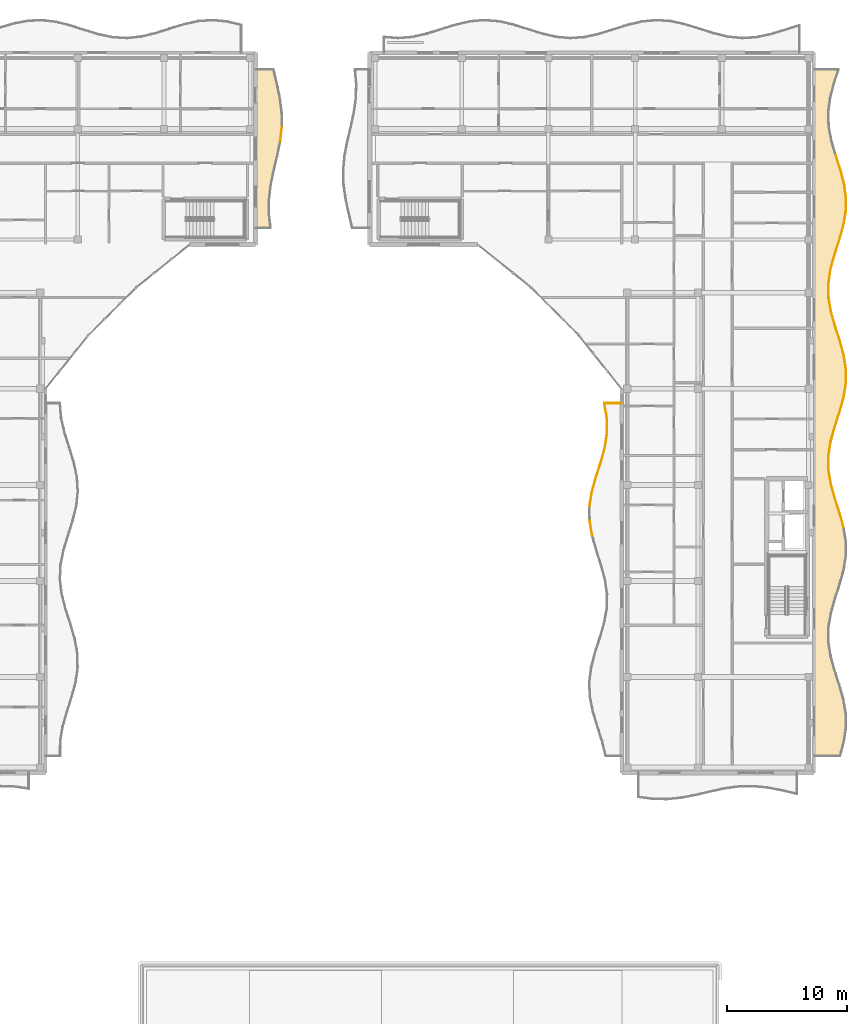
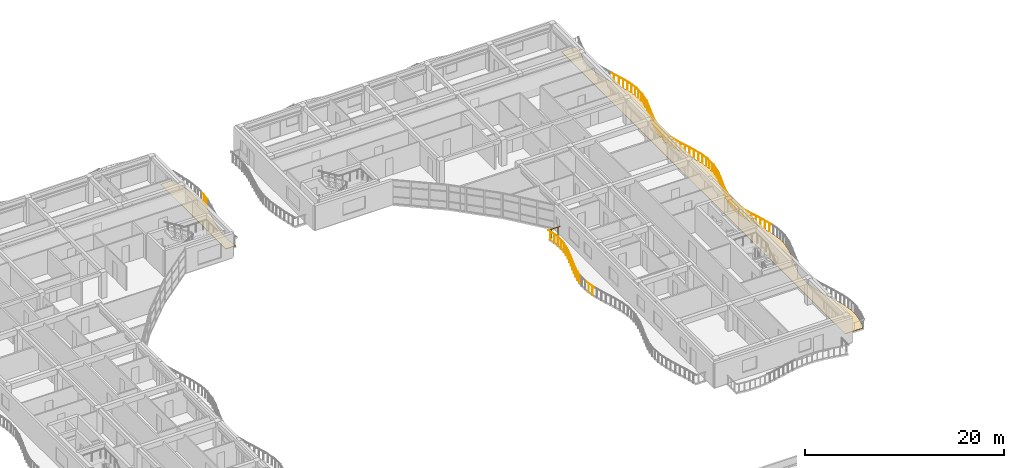
# One storey, part 77 of 79: 36 railings, 2 coverings.
"""IFC4 building model written with IfcOpenShell, lengths in metres."""

from ifc_helpers import new_model, si_unit, direction, frame, origin, origin_2d, place, context, subcontext, project, spatial, polyline, circle, outline, extrude, material, layer, layer_set, type_object, element, save


model = new_model("IFC4")

# Units and contexts
model_context = context("Model", 3, precision=1e-05, world=origin(), true_north=direction((0.0, 1.0)))
body_context = subcontext(model_context, "Body", "Model", "MODEL_VIEW")
ifc_project = project(units=[si_unit("LENGTHUNIT", "METRE"), si_unit("AREAUNIT", "SQUARE_METRE"), si_unit("VOLUMEUNIT", "CUBIC_METRE"), si_unit("PLANEANGLEUNIT", "RADIAN"), si_unit("MASSUNIT", "GRAM", prefix="KILO")], contexts=[model_context])

# Site, building, storey
site_placement = place(None, origin())
site = spatial("IfcSite", under=ifc_project, at=site_placement, CompositionType="ELEMENT")
building_placement = place(site_placement, origin())
building = spatial("IfcBuilding", under=site, at=building_placement, Name="Keldmere Railside Commons", CompositionType="ELEMENT")
storey_placement = place(building_placement, frame((0.0, 0.0, 10.56005859375)))
storey = spatial("IfcBuildingStorey", under=building, at=storey_placement, Name="L03", CompositionType="ELEMENT", Elevation=10.56005859375)

# Railings
ifc_material_1 = material(Name="Steel F-24 (S235)", Category="steel")
railing_type = type_object("IfcRailingType", Name="Balcony & Terrace Steel Balustrade 1100", PredefinedType="BALUSTRADE", material=ifc_material_1)
railing_1_placement = place(storey_placement, frame((139.5478515625, 108.60009765625, 0.0)))
element("IfcRailing", 1, at=railing_1_placement, inside=storey, type_object=railing_type, Name="GR-1 GRD-L03-2205", PredefinedType="BALUSTRADE", context=body_context, shape_type="SweptSolid", body=[
    extrude(circle(Radius=0.02392578125, at=origin_2d()), frame((0.0, 0.0, 1.076171875), z_axis=(0.113004940819, 0.993594425986, 0.0), x_axis=(-0.993594425986, 0.113004940819, 0.0)), (0.0, 0.0, 1.0), 1.207763671875),
    extrude(circle(Radius=0.02099609375, at=origin_2d()), frame((0.0341796875, 0.300048828125, 0.0)), (0.0, 0.0, 1.0), 1.048095703125),
    extrude(circle(Radius=0.02099609375, at=origin_2d()), frame((0.102294921875, 0.89990234375, 0.0)), (0.0, 0.0, 1.0), 1.048095703125),
])
railing_2_placement = place(storey_placement, frame((165.5380859375, 75.77490234375, 0.0)))
element("IfcRailing", 2, at=railing_2_placement, inside=storey, type_object=railing_type, Name="GR-1 GRD-L03-3469", PredefinedType="BALUSTRADE", context=body_context, shape_type="SweptSolid", body=[
    extrude(circle(Radius=0.02392578125, at=origin_2d()), frame((0.0, 0.0, 1.076171875), z_axis=(-0.167202106062, 0.985922641858, 0.0), x_axis=(-0.985922641858, -0.167202106062, 0.0)), (0.0, 0.0, 1.0), 1.24267578125),
    extrude(circle(Radius=0.02099609375, at=origin_2d()), frame((-0.052001953125, 0.30615234375, 0.0)), (0.0, 0.0, 1.0), 1.048095703125),
    extrude(circle(Radius=0.02099609375, at=origin_2d()), frame((-0.15576171875, 0.9189453125, 0.0)), (0.0, 0.0, 1.0), 1.048095703125),
])
railing_3_placement = place(storey_placement, frame((165.3232421875, 78.22509765625, 0.0)))
element("IfcRailing", 3, at=railing_3_placement, inside=storey, type_object=railing_type, Name="GR-1 GRD-L03-3471", PredefinedType="BALUSTRADE", context=body_context, shape_type="SweptSolid", body=[
    extrude(circle(Radius=0.02392578125, at=origin_2d()), frame((0.0, 0.0, 1.076171875), z_axis=(0.157660396073, 0.987493392135, 0.0), x_axis=(-0.987493392135, 0.157660396073, 0.0)), (0.0, 0.0, 1.0), 1.240478515625),
    extrude(circle(Radius=0.02099609375, at=origin_2d()), frame((0.048828125, 0.30615234375, 0.0)), (0.0, 0.0, 1.0), 1.048095703125),
    extrude(circle(Radius=0.02099609375, at=origin_2d()), frame((0.146728515625, 0.918701171875, 0.0)), (0.0, 0.0, 1.0), 1.048095703125),
])
railing_4_placement = place(storey_placement, frame((165.518798828125, 79.449951171875, 0.0)))
element("IfcRailing", 4, at=railing_4_placement, inside=storey, type_object=railing_type, Name="GR-1 GRD-L03-3472", PredefinedType="BALUSTRADE", context=body_context, shape_type="SweptSolid", body=[
    extrude(circle(Radius=0.02392578125, at=origin_2d()), frame((0.0, 0.0, 1.076171875), z_axis=(0.270334393291, 0.962766490798, 0.0), x_axis=(-0.962766490798, 0.270334393291, 0.0)), (0.0, 0.0, 1.0), 1.2724609375),
    extrude(circle(Radius=0.02099609375, at=origin_2d()), frame((0.0859375, 0.30615234375, 0.0)), (0.0, 0.0, 1.0), 1.048095703125),
    extrude(circle(Radius=0.02099609375, at=origin_2d()), frame((0.258056640625, 0.9189453125, 0.0)), (0.0, 0.0, 1.0), 1.048095703125),
])
railing_5_placement = place(storey_placement, frame((165.86279296875, 80.675048828125, 0.0)))
element("IfcRailing", 5, at=railing_5_placement, inside=storey, type_object=railing_type, Name="GR-1 GRD-L03-3473", PredefinedType="BALUSTRADE", context=body_context, shape_type="SweptSolid", body=[
    extrude(circle(Radius=0.02392578125, at=origin_2d()), frame((0.0, 0.0, 1.076171875), z_axis=(0.307623344655, 0.951508212168, 0.0), x_axis=(-0.951508212168, 0.307623344655, 0.0)), (0.0, 0.0, 1.0), 1.287353515625),
    extrude(circle(Radius=0.02099609375, at=origin_2d()), frame((0.09912109375, 0.30615234375, 0.0)), (0.0, 0.0, 1.0), 1.048095703125),
    extrude(circle(Radius=0.02099609375, at=origin_2d()), frame((0.296875, 0.918701171875, 0.0)), (0.0, 0.0, 1.0), 1.048095703125),
])
railing_6_placement = place(storey_placement, frame((166.2587890625, 81.89990234375, 0.0)))
element("IfcRailing", 6, at=railing_6_placement, inside=storey, type_object=railing_type, Name="GR-1 GRD-L03-3474", PredefinedType="BALUSTRADE", context=body_context, shape_type="SweptSolid", body=[
    extrude(circle(Radius=0.02392578125, at=origin_2d()), frame((0.0, 0.0, 1.076171875), z_axis=(0.265879749781, 0.964006202603, 0.0), x_axis=(-0.964006202603, 0.265879749781, 0.0)), (0.0, 0.0, 1.0), 1.270751953125),
    extrude(circle(Radius=0.02099609375, at=origin_2d()), frame((0.08447265625, 0.30615234375, 0.0)), (0.0, 0.0, 1.0), 1.048095703125),
    extrude(circle(Radius=0.02099609375, at=origin_2d()), frame((0.25341796875, 0.9189453125, 0.0)), (0.0, 0.0, 1.0), 1.048095703125),
])
railing_7_placement = place(storey_placement, frame((166.5966796875, 83.125, 0.0)))
element("IfcRailing", 7, at=railing_7_placement, inside=storey, type_object=railing_type, Name="GR-1 GRD-L03-3475", PredefinedType="BALUSTRADE", context=body_context, shape_type="SweptSolid", body=[
    extrude(circle(Radius=0.02392578125, at=origin_2d()), frame((0.0, 0.0, 1.076171875), z_axis=(0.149554385663, 0.988753500995, 0.0), x_axis=(-0.988753500995, 0.149554385663, 0.0)), (0.0, 0.0, 1.0), 1.239013671875),
    extrude(circle(Radius=0.02099609375, at=origin_2d()), frame((0.04638671875, 0.30615234375, 0.0)), (0.0, 0.0, 1.0), 1.048095703125),
    extrude(circle(Radius=0.02099609375, at=origin_2d()), frame((0.138916015625, 0.9189453125, 0.0)), (0.0, 0.0, 1.0), 1.048095703125),
])
railing_8_placement = place(storey_placement, frame((166.781982421875, 84.35009765625, 0.0)))
element("IfcRailing", 8, at=railing_8_placement, inside=storey, type_object=railing_type, Name="GR-1 GRD-L03-3476", PredefinedType="BALUSTRADE", context=body_context, shape_type="SweptSolid", body=[
    extrude(circle(Radius=0.02392578125, at=origin_2d()), frame((0.0, 0.0, 1.076171875), z_axis=(-0.015346010109, 0.999882243054, 0.0), x_axis=(-0.999882243054, -0.015346010109, 0.0)), (0.0, 0.0, 1.0), 1.22509765625),
    extrude(circle(Radius=0.02099609375, at=origin_2d()), frame((-0.004638671875, 0.30615234375, 0.0)), (0.0, 0.0, 1.0), 1.048095703125),
    extrude(circle(Radius=0.02099609375, at=origin_2d()), frame((-0.01416015625, 0.918701171875, 0.0)), (0.0, 0.0, 1.0), 1.048095703125),
])
railing_9_placement = place(storey_placement, frame((166.76318359375, 85.574951171875, 0.0)))
element("IfcRailing", 9, at=railing_9_placement, inside=storey, type_object=railing_type, Name="GR-1 GRD-L03-3477", PredefinedType="BALUSTRADE", context=body_context, shape_type="SweptSolid", body=[
    extrude(circle(Radius=0.02392578125, at=origin_2d()), frame((0.0, 0.0, 1.076171875), z_axis=(-0.175016428413, 0.984565513201, 0.0), x_axis=(-0.984565513201, -0.175016428413, 0.0)), (0.0, 0.0, 1.0), 1.244384765625),
    extrude(circle(Radius=0.02099609375, at=origin_2d()), frame((-0.054443359375, 0.30615234375, 0.0)), (0.0, 0.0, 1.0), 1.048095703125),
    extrude(circle(Radius=0.02099609375, at=origin_2d()), frame((-0.163330078125, 0.9189453125, 0.0)), (0.0, 0.0, 1.0), 1.048095703125),
])
railing_10_placement = place(storey_placement, frame((166.54541015625, 86.800048828125, 0.0)))
element("IfcRailing", 10, at=railing_10_placement, inside=storey, type_object=railing_type, Name="GR-1 GRD-L03-3478", PredefinedType="BALUSTRADE", context=body_context, shape_type="SweptSolid", body=[
    extrude(circle(Radius=0.02392578125, at=origin_2d()), frame((0.0, 0.0, 1.076171875), z_axis=(1.0, 0.0, 0.0), x_axis=(0.0, 1.0, 0.0)), (0.0, 0.0, 1.0), 1.45458984375),
    extrude(circle(Radius=0.02099609375, at=origin_2d()), frame((0.36376953125, 0.0, 0.0)), (0.0, 0.0, 1.0), 1.048095703125),
    extrude(circle(Radius=0.02099609375, at=origin_2d()), frame((1.0908203125, 0.0, 0.0)), (0.0, 0.0, 1.0), 1.048095703125),
])
railing_11_placement = place(storey_placement, frame((186.48193359375, 76.466796875, 0.0)))
element("IfcRailing", 11, at=railing_11_placement, inside=storey, type_object=railing_type, Name="GR-1 GRD-L03-3496", PredefinedType="BALUSTRADE", context=body_context, shape_type="SweptSolid", body=[
    extrude(circle(Radius=0.02392578125, at=origin_2d()), frame((0.0, 0.0, 1.076171875), z_axis=(-0.269190682623, 0.963086899708, 0.0), x_axis=(-0.963086899708, -0.269190682623, 0.0)), (0.0, 0.0, 1.0), 1.237060546875),
    extrude(circle(Radius=0.02099609375, at=origin_2d()), frame((-0.083251953125, 0.2978515625, 0.0)), (0.0, 0.0, 1.0), 1.048095703125),
    extrude(circle(Radius=0.02099609375, at=origin_2d()), frame((-0.249755859375, 0.8935546875, 0.0)), (0.0, 0.0, 1.0), 1.048095703125),
])
railing_12_placement = place(storey_placement, frame((186.14892578125, 77.658203125, 0.0)))
element("IfcRailing", 12, at=railing_12_placement, inside=storey, type_object=railing_type, Name="GR-1 GRD-L03-3497", PredefinedType="BALUSTRADE", context=body_context, shape_type="SweptSolid", body=[
    extrude(circle(Radius=0.02392578125, at=origin_2d()), frame((0.0, 0.0, 1.076171875), z_axis=(-0.307737259803, 0.95147137578, 0.0), x_axis=(-0.95147137578, -0.307737259803, 0.0)), (0.0, 0.0, 1.0), 1.252685546875),
    extrude(circle(Radius=0.02099609375, at=origin_2d()), frame((-0.096435546875, 0.2978515625, 0.0)), (0.0, 0.0, 1.0), 1.048095703125),
    extrude(circle(Radius=0.02099609375, at=origin_2d()), frame((-0.2890625, 0.89404296875, 0.0)), (0.0, 0.0, 1.0), 1.048095703125),
])
railing_13_placement = place(storey_placement, frame((185.763427734375, 78.85009765625, 0.0)))
element("IfcRailing", 13, at=railing_13_placement, inside=storey, type_object=railing_type, Name="GR-1 GRD-L03-3498", PredefinedType="BALUSTRADE", context=body_context, shape_type="SweptSolid", body=[
    extrude(circle(Radius=0.02392578125, at=origin_2d()), frame((0.0, 0.0, 1.076171875), z_axis=(-0.271516364359, 0.96243382312, 0.0), x_axis=(-0.96243382312, -0.271516364359, 0.0)), (0.0, 0.0, 1.0), 1.23828125),
    extrude(circle(Radius=0.02099609375, at=origin_2d()), frame((-0.083984375, 0.2978515625, 0.0)), (0.0, 0.0, 1.0), 1.048095703125),
    extrude(circle(Radius=0.02099609375, at=origin_2d()), frame((-0.252197265625, 0.893798828125, 0.0)), (0.0, 0.0, 1.0), 1.048095703125),
])
railing_14_placement = place(storey_placement, frame((185.42724609375, 80.041748046875, 0.0)))
element("IfcRailing", 14, at=railing_14_placement, inside=storey, type_object=railing_type, Name="GR-1 GRD-L03-3499", PredefinedType="BALUSTRADE", context=body_context, shape_type="SweptSolid", body=[
    extrude(circle(Radius=0.02392578125, at=origin_2d()), frame((0.0, 0.0, 1.076171875), z_axis=(-0.16410402531, 0.986443038841, 0.0), x_axis=(-0.986443038841, -0.16410402531, 0.0)), (0.0, 0.0, 1.0), 1.2080078125),
    extrude(circle(Radius=0.02099609375, at=origin_2d()), frame((-0.049560546875, 0.2978515625, 0.0)), (0.0, 0.0, 1.0), 1.048095703125),
    extrude(circle(Radius=0.02099609375, at=origin_2d()), frame((-0.148681640625, 0.893798828125, 0.0)), (0.0, 0.0, 1.0), 1.048095703125),
])
railing_15_placement = place(storey_placement, frame((185.22900390625, 81.2333984375, 0.0)))
element("IfcRailing", 15, at=railing_15_placement, inside=storey, type_object=railing_type, Name="GR-1 GRD-L03-3500", PredefinedType="BALUSTRADE", context=body_context, shape_type="SweptSolid", body=[
    extrude(circle(Radius=0.02392578125, at=origin_2d()), frame((0.0, 0.0, 1.076171875), z_axis=(-0.00614616541, 0.999981112147, 0.0), x_axis=(-0.999981112147, -0.00614616541, 0.0)), (0.0, 0.0, 1.0), 1.191650390625),
    extrude(circle(Radius=0.02099609375, at=origin_2d()), frame((-0.001953125, 0.2978515625, 0.0)), (0.0, 0.0, 1.0), 1.048095703125),
    extrude(circle(Radius=0.02099609375, at=origin_2d()), frame((-0.00537109375, 0.893798828125, 0.0)), (0.0, 0.0, 1.0), 1.048095703125),
])
railing_16_placement = place(storey_placement, frame((185.2216796875, 82.425048828125, 0.0)))
element("IfcRailing", 16, at=railing_16_placement, inside=storey, type_object=railing_type, Name="GR-1 GRD-L03-3501", PredefinedType="BALUSTRADE", context=body_context, shape_type="SweptSolid", body=[
    extrude(circle(Radius=0.02392578125, at=origin_2d()), frame((0.0, 0.0, 1.076171875), z_axis=(0.153258932877, 0.988186065219, 0.0), x_axis=(-0.988186065219, 0.153258932877, 0.0)), (0.0, 0.0, 1.0), 1.205810546875),
    extrude(circle(Radius=0.02099609375, at=origin_2d()), frame((0.046142578125, 0.2978515625, 0.0)), (0.0, 0.0, 1.0), 1.048095703125),
    extrude(circle(Radius=0.02099609375, at=origin_2d()), frame((0.138671875, 0.893798828125, 0.0)), (0.0, 0.0, 1.0), 1.048095703125),
])
railing_17_placement = place(storey_placement, frame((185.406494140625, 83.61669921875, 0.0)))
element("IfcRailing", 17, at=railing_17_placement, inside=storey, type_object=railing_type, Name="GR-1 GRD-L03-3502", PredefinedType="BALUSTRADE", context=body_context, shape_type="SweptSolid", body=[
    extrude(circle(Radius=0.02392578125, at=origin_2d()), frame((0.0, 0.0, 1.076171875), z_axis=(0.265840392995, 0.964017056619, 0.0), x_axis=(-0.964017056619, 0.265840392995, 0.0)), (0.0, 0.0, 1.0), 1.236083984375),
    extrude(circle(Radius=0.02099609375, at=origin_2d()), frame((0.08203125, 0.2978515625, 0.0)), (0.0, 0.0, 1.0), 1.048095703125),
    extrude(circle(Radius=0.02099609375, at=origin_2d()), frame((0.24658203125, 0.893798828125, 0.0)), (0.0, 0.0, 1.0), 1.048095703125),
])
railing_18_placement = place(storey_placement, frame((185.735107421875, 84.808349609375, 0.0)))
element("IfcRailing", 18, at=railing_18_placement, inside=storey, type_object=railing_type, Name="GR-1 GRD-L03-3503", PredefinedType="BALUSTRADE", context=body_context, shape_type="SweptSolid", body=[
    extrude(circle(Radius=0.02392578125, at=origin_2d()), frame((0.0, 0.0, 1.076171875), z_axis=(0.307794335351, 0.951452913772, 0.0), x_axis=(-0.951452913772, 0.307794335351, 0.0)), (0.0, 0.0, 1.0), 1.25244140625),
    extrude(circle(Radius=0.02099609375, at=origin_2d()), frame((0.096435546875, 0.2978515625, 0.0)), (0.0, 0.0, 1.0), 1.048095703125),
    extrude(circle(Radius=0.02099609375, at=origin_2d()), frame((0.2890625, 0.893798828125, 0.0)), (0.0, 0.0, 1.0), 1.048095703125),
])
railing_19_placement = place(storey_placement, frame((186.12060546875, 86.0, 0.0)))
element("IfcRailing", 19, at=railing_19_placement, inside=storey, type_object=railing_type, Name="GR-1 GRD-L03-3504", PredefinedType="BALUSTRADE", context=body_context, shape_type="SweptSolid", body=[
    extrude(circle(Radius=0.02392578125, at=origin_2d()), frame((0.0, 0.0, 1.076171875), z_axis=(0.274617051176, 0.961553677755, 0.0), x_axis=(-0.961553677755, 0.274617051176, 0.0)), (0.0, 0.0, 1.0), 1.2392578125),
    extrude(circle(Radius=0.02099609375, at=origin_2d()), frame((0.0849609375, 0.2978515625, 0.0)), (0.0, 0.0, 1.0), 1.048095703125),
    extrude(circle(Radius=0.02099609375, at=origin_2d()), frame((0.25537109375, 0.893798828125, 0.0)), (0.0, 0.0, 1.0), 1.048095703125),
])
railing_20_placement = place(storey_placement, frame((186.4609375, 87.191650390625, 0.0)))
element("IfcRailing", 20, at=railing_20_placement, inside=storey, type_object=railing_type, Name="GR-1 GRD-L03-3505", PredefinedType="BALUSTRADE", context=body_context, shape_type="SweptSolid", body=[
    extrude(circle(Radius=0.02392578125, at=origin_2d()), frame((0.0, 0.0, 1.076171875), z_axis=(0.169798737583, 0.985478761169, 0.0), x_axis=(-0.985478761169, 0.169798737583, 0.0)), (0.0, 0.0, 1.0), 1.209228515625),
    extrude(circle(Radius=0.02099609375, at=origin_2d()), frame((0.05126953125, 0.2978515625, 0.0)), (0.0, 0.0, 1.0), 1.048095703125),
    extrude(circle(Radius=0.02099609375, at=origin_2d()), frame((0.154052734375, 0.893798828125, 0.0)), (0.0, 0.0, 1.0), 1.048095703125),
])
railing_21_placement = place(storey_placement, frame((186.666259765625, 88.38330078125, 0.0)))
element("IfcRailing", 21, at=railing_21_placement, inside=storey, type_object=railing_type, Name="GR-1 GRD-L03-3506", PredefinedType="BALUSTRADE", context=body_context, shape_type="SweptSolid", body=[
    extrude(circle(Radius=0.02392578125, at=origin_2d()), frame((0.0, 0.0, 1.076171875), z_axis=(0.013315762587, 0.999911341303, 0.0), x_axis=(-0.999911341303, 0.013315762587, 0.0)), (0.0, 0.0, 1.0), 1.191650390625),
    extrude(circle(Radius=0.02099609375, at=origin_2d()), frame((0.00390625, 0.2978515625, 0.0)), (0.0, 0.0, 1.0), 1.048095703125),
    extrude(circle(Radius=0.02099609375, at=origin_2d()), frame((0.011962890625, 0.893798828125, 0.0)), (0.0, 0.0, 1.0), 1.048095703125),
])
railing_22_placement = place(storey_placement, frame((186.68212890625, 89.574951171875, 0.0)))
element("IfcRailing", 22, at=railing_22_placement, inside=storey, type_object=railing_type, Name="GR-1 GRD-L03-3507", PredefinedType="BALUSTRADE", context=body_context, shape_type="SweptSolid", body=[
    extrude(circle(Radius=0.02392578125, at=origin_2d()), frame((0.0, 0.0, 1.076171875), z_axis=(-0.147319738964, 0.989088921438, 0.0), x_axis=(-0.989088921438, -0.147319738964, 0.0)), (0.0, 0.0, 1.0), 1.204833984375),
    extrude(circle(Radius=0.02099609375, at=origin_2d()), frame((-0.04443359375, 0.2978515625, 0.0)), (0.0, 0.0, 1.0), 1.048095703125),
    extrude(circle(Radius=0.02099609375, at=origin_2d()), frame((-0.133056640625, 0.893798828125, 0.0)), (0.0, 0.0, 1.0), 1.048095703125),
])
railing_23_placement = place(storey_placement, frame((186.504638671875, 90.7666015625, 0.0)))
element("IfcRailing", 23, at=railing_23_placement, inside=storey, type_object=railing_type, Name="GR-1 GRD-L03-3508", PredefinedType="BALUSTRADE", context=body_context, shape_type="SweptSolid", body=[
    extrude(circle(Radius=0.02392578125, at=origin_2d()), frame((0.0, 0.0, 1.076171875), z_axis=(-0.26253189176, 0.964923316025, 0.0), x_axis=(-0.964923316025, -0.26253189176, 0.0)), (0.0, 0.0, 1.0), 1.23486328125),
    extrude(circle(Radius=0.02099609375, at=origin_2d()), frame((-0.0810546875, 0.2978515625, 0.0)), (0.0, 0.0, 1.0), 1.048095703125),
    extrude(circle(Radius=0.02099609375, at=origin_2d()), frame((-0.2431640625, 0.893798828125, 0.0)), (0.0, 0.0, 1.0), 1.048095703125),
])
railing_24_placement = place(storey_placement, frame((186.180419921875, 91.958251953125, 0.0)))
element("IfcRailing", 24, at=railing_24_placement, inside=storey, type_object=railing_type, Name="GR-1 GRD-L03-3509", PredefinedType="BALUSTRADE", context=body_context, shape_type="SweptSolid", body=[
    extrude(circle(Radius=0.02392578125, at=origin_2d()), frame((0.0, 0.0, 1.076171875), z_axis=(-0.307441346299, 0.951567033154, 0.0), x_axis=(-0.951567033154, -0.307441346299, 0.0)), (0.0, 0.0, 1.0), 1.252197265625),
    extrude(circle(Radius=0.02099609375, at=origin_2d()), frame((-0.09619140625, 0.2978515625, 0.0)), (0.0, 0.0, 1.0), 1.048095703125),
    extrude(circle(Radius=0.02099609375, at=origin_2d()), frame((-0.288818359375, 0.893798828125, 0.0)), (0.0, 0.0, 1.0), 1.048095703125),
])
railing_25_placement = place(storey_placement, frame((185.79541015625, 93.14990234375, 0.0)))
element("IfcRailing", 25, at=railing_25_placement, inside=storey, type_object=railing_type, Name="GR-1 GRD-L03-3510", PredefinedType="BALUSTRADE", context=body_context, shape_type="SweptSolid", body=[
    extrude(circle(Radius=0.02392578125, at=origin_2d()), frame((0.0, 0.0, 1.076171875), z_axis=(-0.277475071793, 0.960732837231, 0.0), x_axis=(-0.960732837231, -0.277475071793, 0.0)), (0.0, 0.0, 1.0), 1.24072265625),
    extrude(circle(Radius=0.02099609375, at=origin_2d()), frame((-0.0859375, 0.2978515625, 0.0)), (0.0, 0.0, 1.0), 1.048095703125),
    extrude(circle(Radius=0.02099609375, at=origin_2d()), frame((-0.25830078125, 0.89404296875, 0.0)), (0.0, 0.0, 1.0), 1.048095703125),
])
railing_26_placement = place(storey_placement, frame((185.451171875, 94.341796875, 0.0)))
element("IfcRailing", 26, at=railing_26_placement, inside=storey, type_object=railing_type, Name="GR-1 GRD-L03-3511", PredefinedType="BALUSTRADE", context=body_context, shape_type="SweptSolid", body=[
    extrude(circle(Radius=0.02392578125, at=origin_2d()), frame((0.0, 0.0, 1.076171875), z_axis=(-0.175511341378, 0.98447740911, 0.0), x_axis=(-0.98447740911, -0.175511341378, 0.0)), (0.0, 0.0, 1.0), 1.210205078125),
    extrude(circle(Radius=0.02099609375, at=origin_2d()), frame((-0.05322265625, 0.2978515625, 0.0)), (0.0, 0.0, 1.0), 1.048095703125),
    extrude(circle(Radius=0.02099609375, at=origin_2d()), frame((-0.1591796875, 0.8935546875, 0.0)), (0.0, 0.0, 1.0), 1.048095703125),
])
railing_27_placement = place(storey_placement, frame((185.23876953125, 95.533203125, 0.0)))
element("IfcRailing", 27, at=railing_27_placement, inside=storey, type_object=railing_type, Name="GR-1 GRD-L03-3512", PredefinedType="BALUSTRADE", context=body_context, shape_type="SweptSolid", body=[
    extrude(circle(Radius=0.02392578125, at=origin_2d()), frame((0.0, 0.0, 1.076171875), z_axis=(-0.020274406157, 0.999794453103, 0.0), x_axis=(-0.999794453103, -0.020274406157, 0.0)), (0.0, 0.0, 1.0), 1.192138671875),
    extrude(circle(Radius=0.02099609375, at=origin_2d()), frame((-0.006103515625, 0.2978515625, 0.0)), (0.0, 0.0, 1.0), 1.048095703125),
    extrude(circle(Radius=0.02099609375, at=origin_2d()), frame((-0.01806640625, 0.89404296875, 0.0)), (0.0, 0.0, 1.0), 1.048095703125),
])
railing_28_placement = place(storey_placement, frame((185.214599609375, 96.72509765625, 0.0)))
element("IfcRailing", 28, at=railing_28_placement, inside=storey, type_object=railing_type, Name="GR-1 GRD-L03-3513", PredefinedType="BALUSTRADE", context=body_context, shape_type="SweptSolid", body=[
    extrude(circle(Radius=0.02392578125, at=origin_2d()), frame((0.0, 0.0, 1.076171875), z_axis=(0.141165792762, 0.989985969069, 0.0), x_axis=(-0.989985969069, 0.141165792762, 0.0)), (0.0, 0.0, 1.0), 1.20361328125),
    extrude(circle(Radius=0.02099609375, at=origin_2d()), frame((0.04248046875, 0.2978515625, 0.0)), (0.0, 0.0, 1.0), 1.048095703125),
    extrude(circle(Radius=0.02099609375, at=origin_2d()), frame((0.12744140625, 0.893798828125, 0.0)), (0.0, 0.0, 1.0), 1.048095703125),
])
railing_29_placement = place(storey_placement, frame((185.384521484375, 97.916748046875, 0.0)))
element("IfcRailing", 29, at=railing_29_placement, inside=storey, type_object=railing_type, Name="GR-1 GRD-L03-3514", PredefinedType="BALUSTRADE", context=body_context, shape_type="SweptSolid", body=[
    extrude(circle(Radius=0.02392578125, at=origin_2d()), frame((0.0, 0.0, 1.076171875), z_axis=(0.259029513157, 0.965869406966, 0.0), x_axis=(-0.965869406966, 0.259029513157, 0.0)), (0.0, 0.0, 1.0), 1.233642578125),
    extrude(circle(Radius=0.02099609375, at=origin_2d()), frame((0.079833984375, 0.2978515625, 0.0)), (0.0, 0.0, 1.0), 1.048095703125),
    extrude(circle(Radius=0.02099609375, at=origin_2d()), frame((0.23974609375, 0.893798828125, 0.0)), (0.0, 0.0, 1.0), 1.048095703125),
])
railing_30_placement = place(storey_placement, frame((185.7041015625, 99.1083984375, 0.0)))
element("IfcRailing", 30, at=railing_30_placement, inside=storey, type_object=railing_type, Name="GR-1 GRD-L03-3515", PredefinedType="BALUSTRADE", context=body_context, shape_type="SweptSolid", body=[
    extrude(circle(Radius=0.02392578125, at=origin_2d()), frame((0.0, 0.0, 1.076171875), z_axis=(0.307088230282, 0.951681048893, 0.0), x_axis=(-0.951681048893, 0.307088230282, 0.0)), (0.0, 0.0, 1.0), 1.252197265625),
    extrude(circle(Radius=0.02099609375, at=origin_2d()), frame((0.09619140625, 0.2978515625, 0.0)), (0.0, 0.0, 1.0), 1.048095703125),
    extrude(circle(Radius=0.02099609375, at=origin_2d()), frame((0.288330078125, 0.893798828125, 0.0)), (0.0, 0.0, 1.0), 1.048095703125),
])
railing_31_placement = place(storey_placement, frame((186.088623046875, 100.300048828125, 0.0)))
element("IfcRailing", 31, at=railing_31_placement, inside=storey, type_object=railing_type, Name="GR-1 GRD-L03-3516", PredefinedType="BALUSTRADE", context=body_context, shape_type="SweptSolid", body=[
    extrude(circle(Radius=0.02392578125, at=origin_2d()), frame((0.0, 0.0, 1.076171875), z_axis=(0.280249205859, 0.959927279858, 0.0), x_axis=(-0.959927279858, 0.280249205859, 0.0)), (0.0, 0.0, 1.0), 1.241455078125),
    extrude(circle(Radius=0.02099609375, at=origin_2d()), frame((0.0869140625, 0.2978515625, 0.0)), (0.0, 0.0, 1.0), 1.048095703125),
    extrude(circle(Radius=0.02099609375, at=origin_2d()), frame((0.260986328125, 0.893798828125, 0.0)), (0.0, 0.0, 1.0), 1.048095703125),
])
railing_32_placement = place(storey_placement, frame((186.4365234375, 101.49169921875, 0.0)))
element("IfcRailing", 32, at=railing_32_placement, inside=storey, type_object=railing_type, Name="GR-1 GRD-L03-3517", PredefinedType="BALUSTRADE", context=body_context, shape_type="SweptSolid", body=[
    extrude(circle(Radius=0.02392578125, at=origin_2d()), frame((0.0, 0.0, 1.076171875), z_axis=(0.180941901331, 0.983493786632, 0.0), x_axis=(-0.983493786632, 0.180941901331, 0.0)), (0.0, 0.0, 1.0), 1.211669921875),
    extrude(circle(Radius=0.02099609375, at=origin_2d()), frame((0.0546875, 0.2978515625, 0.0)), (0.0, 0.0, 1.0), 1.048095703125),
    extrude(circle(Radius=0.02099609375, at=origin_2d()), frame((0.16455078125, 0.893798828125, 0.0)), (0.0, 0.0, 1.0), 1.048095703125),
])
railing_33_placement = place(storey_placement, frame((186.65576171875, 102.683349609375, 0.0)))
element("IfcRailing", 33, at=railing_33_placement, inside=storey, type_object=railing_type, Name="GR-1 GRD-L03-3518", PredefinedType="BALUSTRADE", context=body_context, shape_type="SweptSolid", body=[
    extrude(circle(Radius=0.02392578125, at=origin_2d()), frame((0.0, 0.0, 1.076171875), z_axis=(0.027443050888, 0.999623368553, 0.0), x_axis=(-0.999623368553, 0.027443050888, 0.0)), (0.0, 0.0, 1.0), 1.192138671875),
    extrude(circle(Radius=0.02099609375, at=origin_2d()), frame((0.00830078125, 0.2978515625, 0.0)), (0.0, 0.0, 1.0), 1.048095703125),
    extrude(circle(Radius=0.02099609375, at=origin_2d()), frame((0.0244140625, 0.893798828125, 0.0)), (0.0, 0.0, 1.0), 1.048095703125),
])
railing_34_placement = place(storey_placement, frame((186.6884765625, 103.875, 0.0)))
element("IfcRailing", 34, at=railing_34_placement, inside=storey, type_object=railing_type, Name="GR-1 GRD-L03-3519", PredefinedType="BALUSTRADE", context=body_context, shape_type="SweptSolid", body=[
    extrude(circle(Radius=0.02392578125, at=origin_2d()), frame((0.0, 0.0, 1.076171875), z_axis=(-0.135194731717, 0.990819047312, 0.0), x_axis=(-0.990819047312, -0.135194731717, 0.0)), (0.0, 0.0, 1.0), 1.20263671875),
    extrude(circle(Radius=0.02099609375, at=origin_2d()), frame((-0.04052734375, 0.2978515625, 0.0)), (0.0, 0.0, 1.0), 1.048095703125),
    extrude(circle(Radius=0.02099609375, at=origin_2d()), frame((-0.1220703125, 0.893798828125, 0.0)), (0.0, 0.0, 1.0), 1.048095703125),
])
railing_35_placement = place(storey_placement, frame((186.52587890625, 105.066650390625, 0.0)))
element("IfcRailing", 35, at=railing_35_placement, inside=storey, type_object=railing_type, Name="GR-1 GRD-L03-3520", PredefinedType="BALUSTRADE", context=body_context, shape_type="SweptSolid", body=[
    extrude(circle(Radius=0.02392578125, at=origin_2d()), frame((0.0, 0.0, 1.076171875), z_axis=(-0.255331729776, 0.96685350895, 0.0), x_axis=(-0.96685350895, -0.255331729776, 0.0)), (0.0, 0.0, 1.0), 1.232421875),
    extrude(circle(Radius=0.02099609375, at=origin_2d()), frame((-0.07861328125, 0.2978515625, 0.0)), (0.0, 0.0, 1.0), 1.048095703125),
    extrude(circle(Radius=0.02099609375, at=origin_2d()), frame((-0.236083984375, 0.893798828125, 0.0)), (0.0, 0.0, 1.0), 1.048095703125),
])
railing_36_placement = place(storey_placement, frame((186.211181640625, 106.25830078125, 0.0)))
element("IfcRailing", 36, at=railing_36_placement, inside=storey, type_object=railing_type, Name="GR-1 GRD-L03-3521", PredefinedType="BALUSTRADE", context=body_context, shape_type="SweptSolid", body=[
    extrude(circle(Radius=0.02392578125, at=origin_2d()), frame((0.0, 0.0, 1.076171875), z_axis=(-0.306558318384, 0.951851877883, 0.0), x_axis=(-0.951851877883, -0.306558318384, 0.0)), (0.0, 0.0, 1.0), 1.251953125),
    extrude(circle(Radius=0.02099609375, at=origin_2d()), frame((-0.095947265625, 0.2978515625, 0.0)), (0.0, 0.0, 1.0), 1.048095703125),
    extrude(circle(Radius=0.02099609375, at=origin_2d()), frame((-0.287841796875, 0.893798828125, 0.0)), (0.0, 0.0, 1.0), 1.048095703125),
])

# Coverings
ifc_material_2 = material(Name="White Precast Concrete C35/45", Category="concrete")
ifc_layer = layer(ifc_material_2, 0.044921875, Name="White Architectural Balcony Ribbon Cladding 45")
ifc_layer_set = layer_set([ifc_layer], Name="White Precast Concrete C35/45")
covering_type = type_object("IfcCoveringType", Name="White Architectural Balcony Ribbon Cladding 45", PredefinedType="FLOORING", material=ifc_layer_set)
covering_1_placement = place(storey_placement, origin())
element("IfcCovering", 37, at=covering_1_placement, inside=storey, type_object=covering_type, Name="CLG-WB B L03 WE White Balcony Ribbon", PredefinedType="FLOORING", context=body_context, shape_type="SweptSolid", body=[
    extrude(outline(polyline([(138.575927734375, 102.595458984375), (138.57568359375, 102.60009765625), (138.582275390625, 103.80029296875), (138.58251953125, 103.804931640625), (138.73046875, 105.0048828125), (138.73095703125, 105.00830078125), (138.980712890625, 106.208251953125), (138.98095703125, 106.209228515625), (139.265380859375, 107.40869140625), (139.50830078125, 108.606201171875), (139.644287109375, 109.80224609375), (139.6376953125, 110.997314453125), (139.490478515625, 112.193603515625), (139.2412109375, 113.391357421875), (138.9638671875, 114.56005859375), (137.5400390625, 114.56005859375), (137.5400390625, 101.43994140625), (138.70751953125, 101.43994140625), (138.575927734375, 102.595458984375)])), origin(), (0.0, 0.0, 1.0), 0.044921875),
])
covering_2_placement = place(storey_placement, origin())
element("IfcCovering", 38, at=covering_2_placement, inside=storey, type_object=covering_type, Name="CLG-WB A L03 CE White Balcony Ribbon", PredefinedType="FLOORING", context=body_context, shape_type="SweptSolid", body=[
    extrude(outline(polyline([(186.4677734375, 58.599853515625), (186.642822265625, 59.785888671875), (186.625244140625, 60.97119140625), (186.41943359375, 62.15771484375), (186.0791015625, 63.3466796875), (185.69384765625, 64.53759765625), (185.693359375, 64.539306640625), (185.365478515625, 65.731201171875), (185.36474609375, 65.735595703125), (185.181396484375, 66.92724609375), (185.180908203125, 66.930419921875), (185.180908203125, 66.93359375), (185.190185546875, 68.125244140625), (185.190185546875, 68.12841796875), (185.190673828125, 68.131591796875), (185.39013671875, 69.3232421875), (185.39111328125, 69.32763671875), (185.728271484375, 70.519287109375), (185.728759765625, 70.5205078125), (186.114013671875, 71.71142578125), (186.4453125, 72.900390625), (186.63525390625, 74.08642578125), (186.634521484375, 75.271728515625), (186.44287109375, 76.4580078125), (186.110595703125, 77.646728515625), (185.725341796875, 78.837646484375), (185.72509765625, 78.839111328125), (185.388671875, 80.03076171875), (185.3876953125, 80.03515625), (185.189697265625, 81.226806640625), (185.189208984375, 81.22998046875), (185.189208984375, 81.23291015625), (185.181640625, 82.4248046875), (185.181640625, 82.427978515625), (185.18212890625, 82.43115234375), (185.3671875, 83.622802734375), (185.367919921875, 83.627197265625), (185.696533203125, 84.81884765625), (185.697021484375, 84.820556640625), (186.08251953125, 86.01171875), (186.421875, 87.20068359375), (186.626220703125, 88.386962890625), (186.64208984375, 89.572265625), (186.46533203125, 90.758544921875), (186.14208984375, 91.947021484375), (185.757080078125, 93.1376953125), (185.7568359375, 93.138916015625), (185.41259765625, 94.33056640625), (185.41162109375, 94.334716796875), (185.199462890625, 95.5263671875), (185.198974609375, 95.529296875), (185.19873046875, 95.532470703125), (185.174560546875, 96.72412109375), (185.174560546875, 96.727294921875), (185.1748046875, 96.730712890625), (185.344970703125, 97.92236328125), (185.345947265625, 97.927001953125), (185.66552734375, 99.11865234375), (185.666015625, 99.12060546875), (186.05029296875, 100.311767578125), (186.3974609375, 101.5009765625), (186.615966796875, 102.6875), (186.6484375, 103.872802734375), (186.48681640625, 105.058837890625), (186.1728515625, 106.2470703125), (185.789306640625, 107.437744140625), (185.7890625, 107.438720703125), (185.4375, 108.63037109375), (185.436767578125, 108.63427734375), (185.210693359375, 109.82568359375), (185.210205078125, 109.828857421875), (185.2099609375, 109.831787109375), (185.168701171875, 111.023681640625), (185.168701171875, 111.02685546875), (185.169189453125, 111.0302734375), (185.323974609375, 112.221923828125), (185.324951171875, 112.226806640625), (185.634765625, 113.41845703125), (185.63525390625, 113.42041015625), (186.00146484375, 114.56005859375), (184.0400390625, 114.56005859375), (184.0400390625, 57.43994140625), (186.153076171875, 57.43994140625), (186.4677734375, 58.599853515625)])), origin(), (0.0, 0.0, 1.0), 0.044921875),
])

save(model, "model.ifc")
